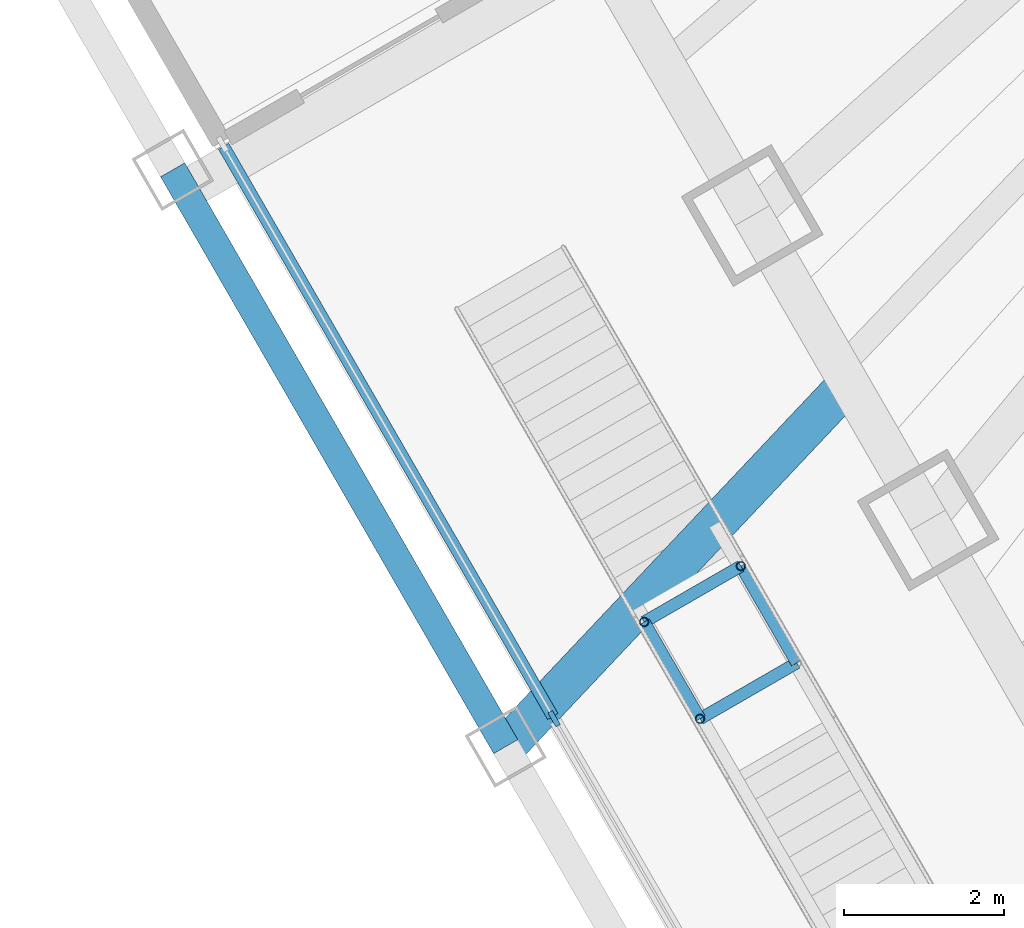
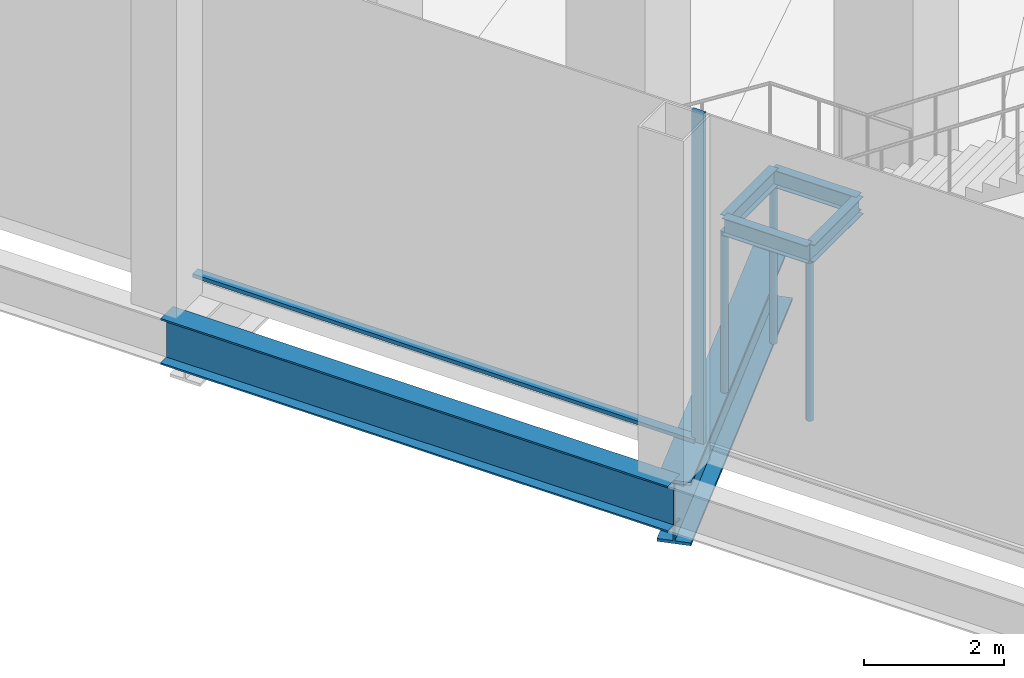
# One storey, part 2 of 23: 6 beams, 5 members, 1 element without a shape of its own.
"""IFC4 building model written with IfcOpenShell, lengths in metres."""

from ifc_helpers import new_model, si_unit, direction, frame, origin, origin_2d, place, context, subcontext, project, spatial, rectangle, hollow_circle, i_section, extrude, material, material_profile, profile_set, type_object, element, aggregate, save


model = new_model("IFC4")

# Units and contexts
model_context = context("Model", 3, precision=1e-05, world=origin(), true_north=direction((0.0, 1.0)))
body_context = subcontext(model_context, "Body", "Model", "MODEL_VIEW")
ifc_project = project(units=[si_unit("LENGTHUNIT", "METRE"), si_unit("AREAUNIT", "SQUARE_METRE"), si_unit("VOLUMEUNIT", "CUBIC_METRE"), si_unit("PLANEANGLEUNIT", "RADIAN"), si_unit("MASSUNIT", "GRAM", prefix="KILO")], contexts=[model_context])

# Site, building, storey
site_placement = place(None, origin())
site = spatial("IfcSite", under=ifc_project, at=site_placement, CompositionType="ELEMENT")
building_placement = place(site_placement, origin())
building = spatial("IfcBuilding", under=site, at=building_placement, Name="Qingtian Harvest Tower", CompositionType="ELEMENT")
storey_placement = place(building_placement, frame((0.0, 0.0, 6.0)))
storey = spatial("IfcBuildingStorey", under=building, at=storey_placement, Name="L01", CompositionType="ELEMENT", Elevation=6.0)

# Beams
ifc_material_1 = material(Name="Steel SM570MC", Category="steel")
ifc_material_profile_1 = material_profile(ifc_material_1, i_section(OverallWidth=0.5, OverallDepth=1.10009765625, WebThickness=0.02490234375, FlangeThickness=0.050048828125, at=origin_2d()), Name="H1100x500x25x50")
ifc_profile_set_1 = profile_set([ifc_material_profile_1], Name="Steel SM570MC")
beam_type_1 = type_object("IfcBeamType", Name="Floor beam FB6 H1100x500x25x50", PredefinedType="BEAM", material=ifc_profile_set_1)
beam_1_placement = place(storey_placement, frame((-23.639404296875, -25.055419921875, -0.800048828125), z_axis=(0.686245720633, 0.727369789662, 0.0), x_axis=(-0.727369789662, 0.686245720633, 0.0)))
element("IfcBeam", 1, at=beam_1_placement, inside=storey, type_object=beam_type_1, Name="Podium floor beam FB6 SW1", PredefinedType="BEAM", context=body_context, shape_type="SweptSolid", body=[
    extrude(i_section(OverallWidth=0.5, OverallDepth=1.10009765625, WebThickness=0.02490234375, FlangeThickness=0.050048828125, at=origin_2d()), origin(), (0.0, 0.0, 1.0), 6.26318359375),
])
ifc_material_2 = material(Name="Steel SN490B", Category="steel")
ifc_material_profile_2 = material_profile(ifc_material_2, i_section(OverallWidth=0.14990234375, OverallDepth=0.300048828125, WebThickness=0.006591796875, FlangeThickness=0.009033203125, at=origin_2d()), Name="H300x150x6.5x9")
ifc_profile_set_2 = profile_set([ifc_material_profile_2], Name="Steel SN490B")
beam_type_2 = type_object("IfcBeamType", Name="Landing beam LB1 H300x150x6.5x9", PredefinedType="BEAM", material=ifc_profile_set_2)
for number, where, z_axis, x_axis, name in (
    (2, (-21.90625, -23.493896484375, 2.64990234375), (0.865959057869, 0.500114896893, 0.0), (-0.500114896893, 0.865959057869, 0.0), "Landing beam LB1 FS4 1"),
    (3, (-21.206298828125, -24.706298828125, 2.64990234375), (0.865959057869, 0.500114896893, 0.0), (-0.500114896893, 0.865959057869, 0.0), "Landing beam LB1 FS4 2"),
):
    element("IfcBeam", number, at=place(storey_placement, frame(where, z_axis=z_axis, x_axis=x_axis)), inside=storey, type_object=beam_type_2, Name=name, PredefinedType="BEAM", context=body_context, shape_type="SweptSolid", body=[
        extrude(i_section(OverallWidth=0.14990234375, OverallDepth=0.300048828125, WebThickness=0.006591796875, FlangeThickness=0.009033203125, at=origin_2d()), origin(), (0.0, 0.0, 1.0), 1.400146484375),
    ])
for number, where, z_axis, x_axis, name in (
    (4, (-21.90625, -23.493896484375, 2.64990234375), (0.49998411664, -0.866034573852, 0.0), (0.866034573852, 0.49998411664, 0.0), "Landing beam LB1 FS4 3"),
    (5, (-20.69384765625, -22.793701171875, 2.64990234375), (0.49998411664, -0.866034573852, 0.0), (0.866034573852, 0.49998411664, 0.0), "Landing beam LB1 FS4 4"),
):
    element("IfcBeam", number, at=place(storey_placement, frame(where, z_axis=z_axis, x_axis=x_axis)), inside=storey, type_object=beam_type_2, Name=name, PredefinedType="BEAM", context=body_context, shape_type="SweptSolid", body=[
        extrude(i_section(OverallWidth=0.14990234375, OverallDepth=0.300048828125, WebThickness=0.006591796875, FlangeThickness=0.009033203125, at=origin_2d()), origin(), (0.0, 0.0, 1.0), 1.39990234375),
    ])

# Members
ifc_material_3 = material(Name="Steel SN490B", Category="steel")
ifc_material_profile_3 = material_profile(ifc_material_3, hollow_circle(Radius=0.05712890625, WallThickness=0.00634765625, at=origin_2d()), Name="CHS114.3x6.3")
ifc_profile_set_3 = profile_set([ifc_material_profile_3], Name="Steel SN490B")
member_type_1 = type_object("IfcMemberType", Name="Landing post LP1 CHS114.3x6.3", PredefinedType="POST", material=ifc_profile_set_3)
for number, where, z_axis, x_axis, name in (
    (6, (-21.90625, -23.493896484375, -0.25), (0.0, 0.0, 1.0), (1.0, 0.0, 0.0), "Landing post LP1 FS4 1"),
    (7, (-20.69384765625, -22.793701171875, -0.25), (0.0, 0.0, 1.0), (1.0, 0.0, 0.0), "Landing post LP1 FS4 2"),
    (8, (-21.206298828125, -24.706298828125, -0.25), (0.0, 0.0, 1.0), (1.0, 0.0, 0.0), "Landing post LP1 FS4 3"),
):
    element("IfcMember", number, at=place(storey_placement, frame(where, z_axis=z_axis, x_axis=x_axis)), inside=storey, type_object=member_type_1, Name=name, PredefinedType="POST", context=body_context, shape_type="SweptSolid", body=[
        extrude(hollow_circle(Radius=0.05712890625, WallThickness=0.00634765625, at=origin_2d()), origin(), (0.0, 0.0, 1.0), 2.75),
    ])

# Curtain wall, member
ifc_material_4 = material(Name="Bronze-anodised aluminium curtain wall", Category="aluminium")
curtain_wall_type = type_object("IfcCurtainWallType", Name="Curtain wall CW1 podium shopfront", PredefinedType="USERDEFINED", material=ifc_material_4)
curtain_wall_placement = place(storey_placement, origin())
curtain_wall = element("IfcCurtainWall", 9, at=curtain_wall_placement, inside=storey, type_object=curtain_wall_type, Name="Curtain wall CW1 L01 SW0-1", ObjectType="RECESSED CURTAIN WALL", PredefinedType="USERDEFINED")
ifc_material_5 = material(Name="Bronze-anodised aluminium mullion", Category="aluminium")
ifc_material_profile_4 = material_profile(ifc_material_5, rectangle(XDim=0.06494140625, YDim=0.199951171875, at=origin_2d()), Name="AL 65x200")
ifc_profile_set_4 = profile_set([ifc_material_profile_4], Name="Bronze-anodised aluminium mullion")
member_type_2 = type_object("IfcMemberType", Name="Mullion CWM 65x200", PredefinedType="MULLION", material=ifc_profile_set_4)
member_1_placement = place(storey_placement, frame((-23.033203125, -24.705322265625, 0.0), z_axis=(0.0, 0.0, 1.0), x_axis=(-0.866025403784, -0.5, 0.0)))
member_1 = element("IfcMember", 10, at=member_1_placement, type_object=member_type_2, Name="CW1 mullion 2", PredefinedType="MULLION", context=body_context, shape_type="SweptSolid", body=[
    extrude(rectangle(XDim=0.06494140625, YDim=0.199951171875, at=origin_2d()), origin(), (0.0, 0.0, 1.0), 5.75),
])

# Beam
ifc_material_6 = material(Name="Steel SN490B", Category="steel")
ifc_material_profile_5 = material_profile(ifc_material_6, i_section(OverallWidth=0.35009765625, OverallDepth=0.800048828125, WebThickness=0.01611328125, FlangeThickness=0.028076171875, at=origin_2d()), Name="H800x350x16x28")
ifc_profile_set_5 = profile_set([ifc_material_profile_5], Name="Steel SN490B")
beam_type_3 = type_object("IfcBeamType", Name="Podium beam PB1 H800x350x16x28", PredefinedType="BEAM", material=ifc_profile_set_5)
beam_2_placement = place(storey_placement, frame((-23.639404296875, -25.055419921875, -0.64990234375), z_axis=(-0.500004511595, 0.866022798998, 0.0), x_axis=(-0.866022798998, -0.500004511595, 0.0)))
element("IfcBeam", 11, at=beam_2_placement, inside=storey, type_object=beam_type_3, Name="Podium edge beam PB1 SW1", PredefinedType="BEAM", context=body_context, shape_type="SweptSolid", body=[
    extrude(i_section(OverallWidth=0.35009765625, OverallDepth=0.800048828125, WebThickness=0.01611328125, FlangeThickness=0.028076171875, at=origin_2d()), origin(), (0.0, 0.0, 1.0), 8.341796875),
])

# Member
ifc_material_7 = material(Name="Bronze-anodised aluminium transom", Category="aluminium")
ifc_material_profile_6 = material_profile(ifc_material_7, rectangle(XDim=0.14990234375, YDim=0.06494140625, at=origin_2d()), Name="AL 65x150")
ifc_profile_set_6 = profile_set([ifc_material_profile_6], Name="Bronze-anodised aluminium transom")
member_type_3 = type_object("IfcMemberType", Name="Transom CWT 65x150", PredefinedType="USERDEFINED", material=ifc_profile_set_6)
member_2_placement = place(storey_placement, frame((-23.04931640625, -24.67724609375, 0.032470703125), z_axis=(-0.500021515307, 0.86601298156, 0.0), x_axis=(-0.86601298156, -0.500021515307, 0.0)))
member_2 = element("IfcMember", 12, at=member_2_placement, type_object=member_type_3, Name="CW1 transom 2.1", ObjectType="TRANSOM", PredefinedType="USERDEFINED", context=body_context, shape_type="SweptSolid", body=[
    extrude(rectangle(XDim=0.14990234375, YDim=0.06494140625, at=origin_2d()), origin(), (0.0, 0.0, 1.0), 8.244384765625),
])

aggregate(curtain_wall, [member_1, member_2])

save(model, "model.ifc")
